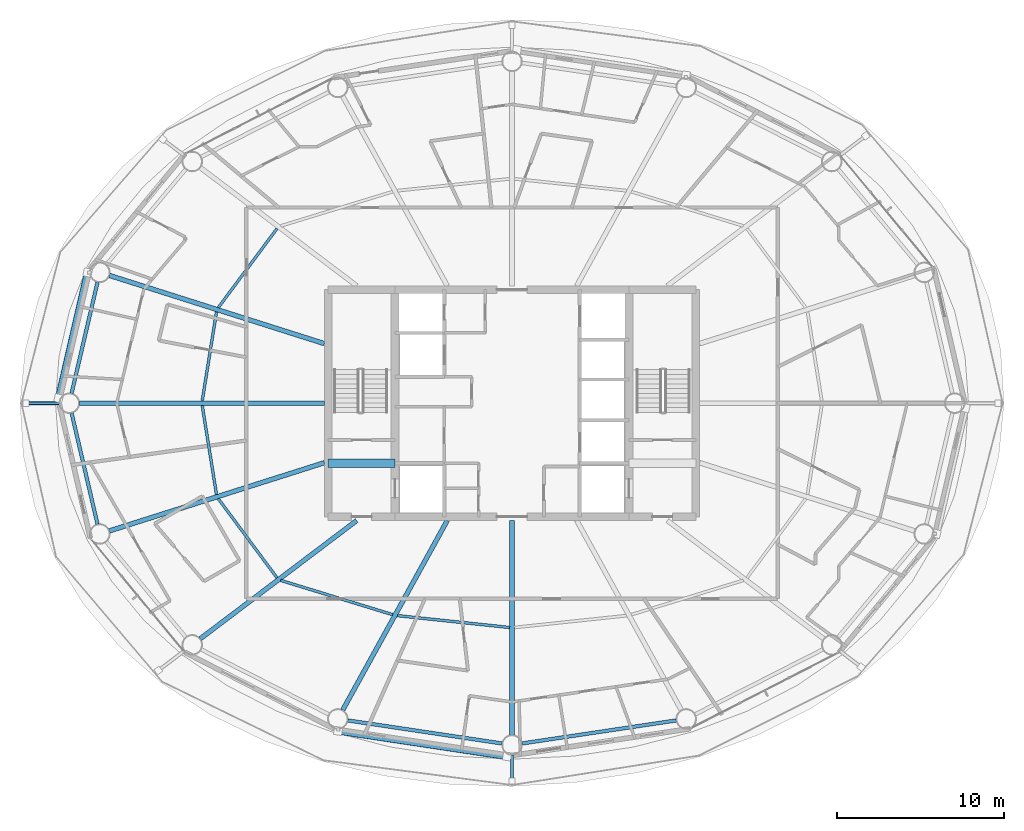
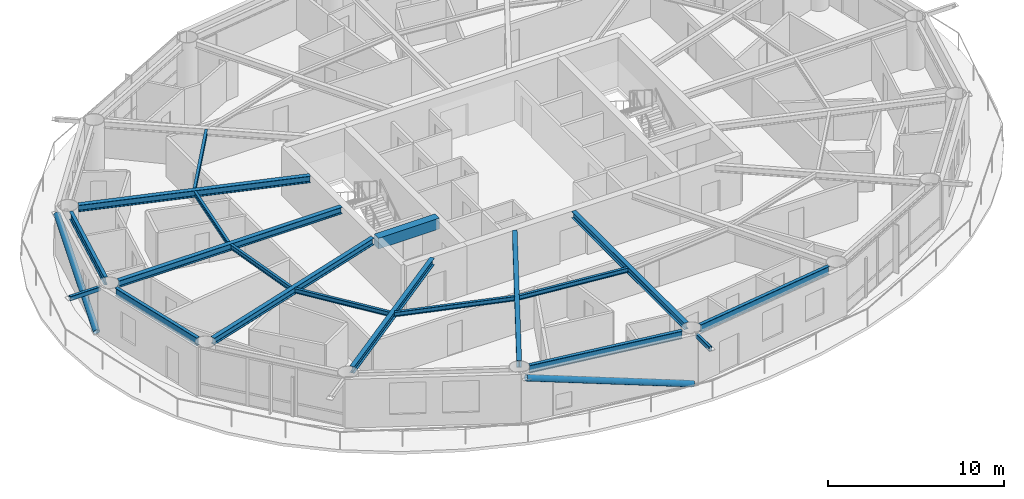
# One storey, part 4 of 28: 17 beams, 4 members.
"""IFC4 building model written with IfcOpenShell, lengths in metres."""

from ifc_helpers import new_model, si_unit, direction, frame, origin, origin_2d, place, context, subcontext, project, spatial, rectangle, hollow_rectangle, hollow_circle, i_section, extrude, material, material_profile, profile_set, type_object, element, save


model = new_model("IFC4")

# Units and contexts
model_context = context("Model", 3, precision=1e-05, world=origin(), true_north=direction((0.0, 1.0)))
body_context = subcontext(model_context, "Body", "Model", "MODEL_VIEW")
ifc_project = project(units=[si_unit("LENGTHUNIT", "METRE"), si_unit("AREAUNIT", "SQUARE_METRE"), si_unit("VOLUMEUNIT", "CUBIC_METRE"), si_unit("PLANEANGLEUNIT", "RADIAN"), si_unit("MASSUNIT", "GRAM", prefix="KILO")], contexts=[model_context])

# Site, building, storey
site_placement = place(None, origin())
site = spatial("IfcSite", under=ifc_project, at=site_placement, CompositionType="ELEMENT")
building_placement = place(site_placement, origin())
building = spatial("IfcBuilding", under=site, at=building_placement, Name="Sarneth Arch Tower", CompositionType="ELEMENT")
storey_placement = place(building_placement, frame((0.0, 0.0, 179.39990234375)))
storey = spatial("IfcBuildingStorey", under=building, at=storey_placement, Name="L45", CompositionType="ELEMENT", Elevation=179.39990234375)

# Beams
ifc_material_1 = material(Name="Steel S355", Category="steel")
ifc_material_profile_1 = material_profile(ifc_material_1, i_section(OverallWidth=0.1669921875, OverallDepth=0.31689453125, WebThickness=0.007568359375, FlangeThickness=0.01318359375, FilletRadius=0.012939453125, at=origin_2d()), Name="W310x52")
ifc_profile_set_1 = profile_set([ifc_material_profile_1], Name="Steel S355")
beam_type_1 = type_object("IfcBeamType", Name="BM-JOIST-310B", PredefinedType="JOIST", material=ifc_profile_set_1)
beam_1_placement = place(storey_placement, frame((33.941162109375, 52.449462890625, 3.2216796875), z_axis=(-0.596190586674, -0.802842938788, 0.0), x_axis=(0.802842938788, -0.596190586674, 0.0)))
element("IfcBeam", 1, at=beam_1_placement, inside=storey, type_object=beam_type_1, Name="L45 Secondary floor joist 07", PredefinedType="JOIST", context=body_context, shape_type="SweptSolid", body=[
    extrude(i_section(OverallWidth=0.1669921875, OverallDepth=0.31689453125, WebThickness=0.007568359375, FlangeThickness=0.01318359375, FilletRadius=0.012939453125, at=origin_2d()), origin(), (0.0, 0.0, 1.0), 5.896484375),
])
for number, where, z_axis, x_axis, name in (
    (2, (30.3203125, 47.46484375, 3.2216796875), (-0.158348792374, -0.987383238643, 0.0), (0.987383238643, -0.158348792374, 0.0), "L45 Secondary floor joist 08"),
    (3, (29.466064453125, 41.86181640625, 3.2216796875), (0.158348792374, -0.987383238643, 0.0), (0.987383238643, 0.158348792374, 0.0), "L45 Secondary floor joist 09"),
):
    element("IfcBeam", number, at=place(storey_placement, frame(where, z_axis=z_axis, x_axis=x_axis)), inside=storey, type_object=beam_type_1, Name=name, PredefinedType="JOIST", context=body_context, shape_type="SweptSolid", body=[
        extrude(i_section(OverallWidth=0.1669921875, OverallDepth=0.31689453125, WebThickness=0.007568359375, FlangeThickness=0.01318359375, FilletRadius=0.012939453125, at=origin_2d()), origin(), (0.0, 0.0, 1.0), 5.394775390625),
    ])
beam_2_placement = place(storey_placement, frame((30.42578125, 36.284423828125, 3.2216796875), z_axis=(0.596190586674, -0.802842938788, 0.0), x_axis=(0.802842938788, 0.596190586674, 0.0)))
element("IfcBeam", 4, at=beam_2_placement, inside=storey, type_object=beam_type_1, Name="L45 Secondary floor joist 10", PredefinedType="JOIST", context=body_context, shape_type="SweptSolid", body=[
    extrude(i_section(OverallWidth=0.1669921875, OverallDepth=0.31689453125, WebThickness=0.007568359375, FlangeThickness=0.01318359375, FilletRadius=0.012939453125, at=origin_2d()), origin(), (0.0, 0.0, 1.0), 5.896484375),
])
beam_3_placement = place(storey_placement, frame((34.15869140625, 31.397216796875, 3.2216796875), z_axis=(0.956178669891, -0.292783796076, 0.0), x_axis=(0.292783796076, 0.956178669891, 0.0)))
element("IfcBeam", 5, at=beam_3_placement, inside=storey, type_object=beam_type_1, Name="L45 Secondary floor joist 11", PredefinedType="JOIST", context=body_context, shape_type="SweptSolid", body=[
    extrude(i_section(OverallWidth=0.1669921875, OverallDepth=0.31689453125, WebThickness=0.007568359375, FlangeThickness=0.01318359375, FilletRadius=0.012939453125, at=origin_2d()), origin(), (0.0, 0.0, 1.0), 7.010986328125),
])
beam_4_placement = place(storey_placement, frame((41.1357421875, 29.288818359375, 3.2216796875), z_axis=(0.994447340543, -0.105235387994, 0.0), x_axis=(0.105235387994, 0.994447340543, 0.0)))
element("IfcBeam", 6, at=beam_4_placement, inside=storey, type_object=beam_type_1, Name="L45 Secondary floor joist 12", PredefinedType="JOIST", context=body_context, shape_type="SweptSolid", body=[
    extrude(i_section(OverallWidth=0.1669921875, OverallDepth=0.31689453125, WebThickness=0.007568359375, FlangeThickness=0.01318359375, FilletRadius=0.012939453125, at=origin_2d()), origin(), (0.0, 0.0, 1.0), 6.7626953125),
])
ifc_material_2 = material(Name="Concrete C50/60", Category="concrete")
ifc_material_profile_2 = material_profile(ifc_material_2, rectangle(XDim=0.5, YDim=0.75, at=origin_2d()), Name="RC-500x750")
ifc_profile_set_2 = profile_set([ifc_material_profile_2], Name="Concrete C50/60")
beam_type_2 = type_object("IfcBeamType", Name="BM-LINTEL-RC", PredefinedType="LINTEL", material=ifc_profile_set_2)
beam_5_placement = place(storey_placement, frame((37.0, 38.39990234375, 3.005126953125), z_axis=(1.0, 0.0, 0.0), x_axis=(0.0, 1.0, 0.0)))
element("IfcBeam", 7, at=beam_5_placement, inside=storey, type_object=beam_type_2, Name="L45 Core coupling lintel W", PredefinedType="LINTEL", context=body_context, shape_type="SweptSolid", body=[
    extrude(rectangle(XDim=0.5, YDim=0.75, at=origin_2d()), origin(), (0.0, 0.0, 1.0), 4.0),
])
ifc_material_3 = material(Name="Steel S355", Category="steel")
ifc_material_profile_3 = material_profile(ifc_material_3, i_section(OverallWidth=0.280029296875, OverallDepth=0.462890625, WebThickness=0.0107421875, FlangeThickness=0.017333984375, FilletRadius=0.01806640625, at=origin_2d()), Name="W460x113")
ifc_profile_set_3 = profile_set([ifc_material_profile_3], Name="Steel S355")
beam_type_3 = type_object("IfcBeamType", Name="BM-RAD-460A", PredefinedType="BEAM", material=ifc_profile_set_3)
beam_6_placement = place(storey_placement, frame((36.77490234375, 45.56201171875, 3.148681640625), z_axis=(-0.95316541071, 0.30244949963, 0.0), x_axis=(-0.30244949963, -0.95316541071, 0.0)))
element("IfcBeam", 8, at=beam_6_placement, inside=storey, type_object=beam_type_3, Name="L45 Radial floor girder 08", PredefinedType="BEAM", context=body_context, shape_type="SweptSolid", body=[
    extrude(i_section(OverallWidth=0.280029296875, OverallDepth=0.462890625, WebThickness=0.0107421875, FlangeThickness=0.017333984375, FilletRadius=0.01806640625, at=origin_2d()), origin(), (0.0, 0.0, 1.0), 13.497314453125),
])
beam_7_placement = place(storey_placement, frame((36.77490234375, 42.0, 3.148681640625), z_axis=(-1.0, 0.0, 0.0), x_axis=(0.0, -1.0, 0.0)))
element("IfcBeam", 9, at=beam_7_placement, inside=storey, type_object=beam_type_3, Name="L45 Radial floor girder 09", PredefinedType="BEAM", context=body_context, shape_type="SweptSolid", body=[
    extrude(i_section(OverallWidth=0.280029296875, OverallDepth=0.462890625, WebThickness=0.0107421875, FlangeThickness=0.017333984375, FilletRadius=0.01806640625, at=origin_2d()), origin(), (0.0, 0.0, 1.0), 14.661865234375),
])
beam_8_placement = place(storey_placement, frame((36.77490234375, 38.43798828125, 3.148681640625), z_axis=(-0.95316541071, -0.30244949963, 0.0), x_axis=(0.30244949963, -0.95316541071, 0.0)))
element("IfcBeam", 10, at=beam_8_placement, inside=storey, type_object=beam_type_3, Name="L45 Radial floor girder 10", PredefinedType="BEAM", context=body_context, shape_type="SweptSolid", body=[
    extrude(i_section(OverallWidth=0.280029296875, OverallDepth=0.462890625, WebThickness=0.0107421875, FlangeThickness=0.017333984375, FilletRadius=0.01806640625, at=origin_2d()), origin(), (0.0, 0.0, 1.0), 13.497314453125),
])
beam_9_placement = place(storey_placement, frame((38.70458984375, 34.97509765625, 3.148681640625), z_axis=(-0.797784574467, -0.602942594898, 0.0), x_axis=(0.602942594898, -0.797784574467, 0.0)))
element("IfcBeam", 11, at=beam_9_placement, inside=storey, type_object=beam_type_3, Name="L45 Radial floor girder 11", PredefinedType="BEAM", context=body_context, shape_type="SweptSolid", body=[
    extrude(i_section(OverallWidth=0.280029296875, OverallDepth=0.462890625, WebThickness=0.0107421875, FlangeThickness=0.017333984375, FilletRadius=0.01806640625, at=origin_2d()), origin(), (0.0, 0.0, 1.0), 11.73193359375),
])
beam_10_placement = place(storey_placement, frame((44.125, 34.97509765625, 3.148681640625), z_axis=(-0.483010082599, -0.875614789795, 0.0), x_axis=(0.875614789795, -0.483010082599, 0.0)))
element("IfcBeam", 12, at=beam_10_placement, inside=storey, type_object=beam_type_3, Name="L45 Radial floor girder 12", PredefinedType="BEAM", context=body_context, shape_type="SweptSolid", body=[
    extrude(i_section(OverallWidth=0.280029296875, OverallDepth=0.462890625, WebThickness=0.0107421875, FlangeThickness=0.017333984375, FilletRadius=0.01806640625, at=origin_2d()), origin(), (0.0, 0.0, 1.0), 12.954345703125),
])
beam_11_placement = place(storey_placement, frame((48.0, 34.97509765625, 3.148681640625), z_axis=(0.0, -1.0, 0.0), x_axis=(1.0, 0.0, 0.0)))
element("IfcBeam", 13, at=beam_11_placement, inside=storey, type_object=beam_type_3, Name="L45 Radial floor girder 13", PredefinedType="BEAM", context=body_context, shape_type="SweptSolid", body=[
    extrude(i_section(OverallWidth=0.280029296875, OverallDepth=0.462890625, WebThickness=0.0107421875, FlangeThickness=0.017333984375, FilletRadius=0.01806640625, at=origin_2d()), origin(), (0.0, 0.0, 1.0), 12.8251953125),
])
ifc_material_4 = material(Name="Steel S355", Category="steel")
ifc_material_profile_4 = material_profile(ifc_material_4, i_section(OverallWidth=0.214111328125, OverallDepth=0.549072265625, WebThickness=0.0146484375, FlangeThickness=0.023681640625, FilletRadius=0.01806640625, at=origin_2d()), Name="W530x138")
ifc_profile_set_4 = profile_set([ifc_material_profile_4], Name="Steel S355")
beam_type_4 = type_object("IfcBeamType", Name="BM-RAD-530A", PredefinedType="BEAM", material=ifc_profile_set_4)
for number, where, z_axis, x_axis, name in (
    (14, (23.20166015625, 49.241455078125, 3.105712890625), (-0.227109937572, -0.973869126863, 0.0), (0.973869126863, -0.227109937572, 0.0), "L45 Perimeter spandrel beam 08"),
    (15, (21.649169921875, 41.415771484375, 3.105712890625), (0.227109937572, -0.973869126863, 0.0), (0.973869126863, 0.227109937572, 0.0), "L45 Perimeter spandrel beam 09"),
):
    element("IfcBeam", number, at=place(storey_placement, frame(where, z_axis=z_axis, x_axis=x_axis)), inside=storey, type_object=beam_type_4, Name=name, PredefinedType="BEAM", context=body_context, shape_type="SweptSolid", body=[
        extrude(i_section(OverallWidth=0.214111328125, OverallDepth=0.549072265625, WebThickness=0.0146484375, FlangeThickness=0.023681640625, FilletRadius=0.01806640625, at=origin_2d()), origin(), (0.0, 0.0, 1.0), 6.8359375),
    ])
for number, where, z_axis, x_axis, name in (
    (16, (38.171630859375, 23.01806640625, 3.105712890625), (0.98902783755, -0.147729267756, 0.0), (0.147729267756, 0.98902783755, 0.0), "L45 Perimeter spandrel beam 12"),
    (17, (48.593505859375, 21.638671875, 3.105712890625), (0.98902783755, 0.147729267756, 0.0), (-0.147729267756, 0.98902783755, 0.0), "L45 Perimeter spandrel beam 13"),
):
    element("IfcBeam", number, at=place(storey_placement, frame(where, z_axis=z_axis, x_axis=x_axis)), inside=storey, type_object=beam_type_4, Name=name, PredefinedType="BEAM", context=body_context, shape_type="SweptSolid", body=[
        extrude(i_section(OverallWidth=0.214111328125, OverallDepth=0.549072265625, WebThickness=0.0146484375, FlangeThickness=0.023681640625, FilletRadius=0.01806640625, at=origin_2d()), origin(), (0.0, 0.0, 1.0), 9.33740234375),
    ])

# Members
ifc_material_5 = material(Name="Steel S355", Category="steel")
ifc_material_profile_5 = material_profile(ifc_material_5, hollow_rectangle(XDim=0.199951171875, YDim=0.300048828125, WallThickness=0.012451171875, InnerFilletRadius=0.018798828125, OuterFilletRadius=0.03125, at=origin_2d()), Name="RHS300x200x12.5")
ifc_profile_set_5 = profile_set([ifc_material_profile_5], Name="Steel S355")
member_type_1 = type_object("IfcMemberType", Name="MEM-CANT-STRUT", PredefinedType="STRUT", material=ifc_profile_set_5)
member_1_placement = place(storey_placement, frame((20.9130859375, 42.0, 3.22021484375), z_axis=(-1.0, 0.0, 0.0), x_axis=(0.0, -1.0, 0.0)))
element("IfcMember", 18, at=member_1_placement, inside=storey, type_object=member_type_1, Name="L45 Balcony cantilever bracket 09", PredefinedType="STRUT", context=body_context, shape_type="SweptSolid", body=[
    extrude(hollow_rectangle(XDim=0.199951171875, YDim=0.300048828125, WallThickness=0.012451171875, InnerFilletRadius=0.018798828125, OuterFilletRadius=0.03125, at=origin_2d()), origin(), (0.0, 0.0, 1.0), 1.99169921875),
])
member_2_placement = place(storey_placement, frame((48.0, 20.949951171875, 3.22021484375), z_axis=(0.0, -1.0, 0.0), x_axis=(1.0, 0.0, 0.0)))
element("IfcMember", 19, at=member_2_placement, inside=storey, type_object=member_type_1, Name="L45 Balcony cantilever bracket 13", PredefinedType="STRUT", context=body_context, shape_type="SweptSolid", body=[
    extrude(hollow_rectangle(XDim=0.199951171875, YDim=0.300048828125, WallThickness=0.012451171875, InnerFilletRadius=0.018798828125, OuterFilletRadius=0.03125, at=origin_2d()), origin(), (0.0, 0.0, 1.0), 1.558349609375),
])
ifc_material_6 = material(Name="Steel S355", Category="steel")
ifc_material_profile_6 = material_profile(ifc_material_6, hollow_circle(Radius=0.202880859375, WallThickness=0.01611328125, at=origin_2d()), Name="CHS406x16")
ifc_profile_set_6 = profile_set([ifc_material_profile_6], Name="Steel S355")
member_type_2 = type_object("IfcMemberType", Name="MEM-DIAG-BR2", PredefinedType="BRACE", material=ifc_profile_set_6)
member_3_placement = place(storey_placement, frame((20.87109375, 42.292236328125, 0.02001953125), z_axis=(0.209644021591, 0.906906907052, 0.365471265838), x_axis=(-0.974306903917, 0.225224459107, 0.0)))
element("IfcMember", 20, at=member_3_placement, inside=storey, type_object=member_type_2, Name="L45 Perimeter frame diagonal 08", PredefinedType="BRACE", context=body_context, shape_type="SweptSolid", body=[
    extrude(hollow_circle(Radius=0.202880859375, WallThickness=0.01611328125, at=origin_2d()), origin(), (0.0, 0.0, 1.0), 8.292724609375),
])
member_4_placement = place(storey_placement, frame((47.703369140625, 20.86474609375, 0.02001953125), z_axis=(-0.948046741033, 0.142821852705, 0.284269757812), x_axis=(-0.148967610144, -0.988842075929, 0.0)))
element("IfcMember", 21, at=member_4_placement, inside=storey, type_object=member_type_2, Name="L45 Perimeter frame diagonal 12", PredefinedType="BRACE", context=body_context, shape_type="SweptSolid", body=[
    extrude(hollow_circle(Radius=0.202880859375, WallThickness=0.01611328125, at=origin_2d()), origin(), (0.0, 0.0, 1.0), 10.66162109375),
])

save(model, "model.ifc")
